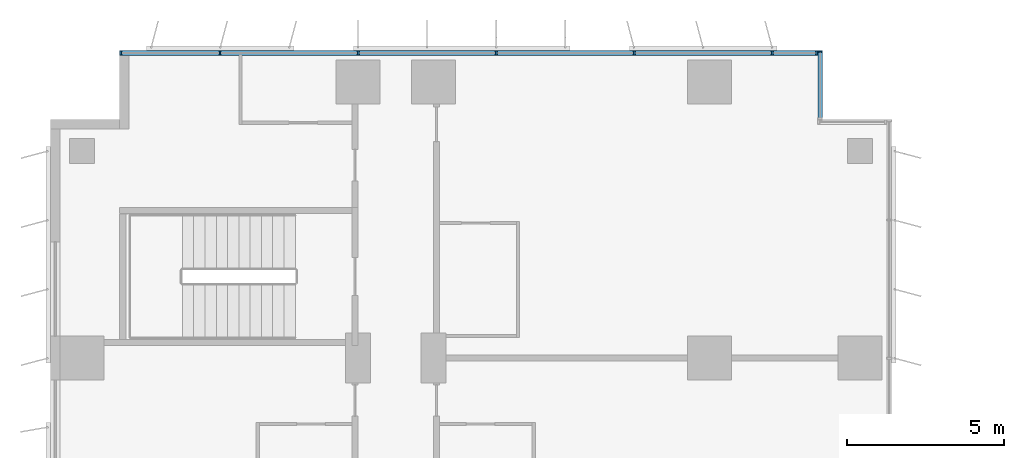
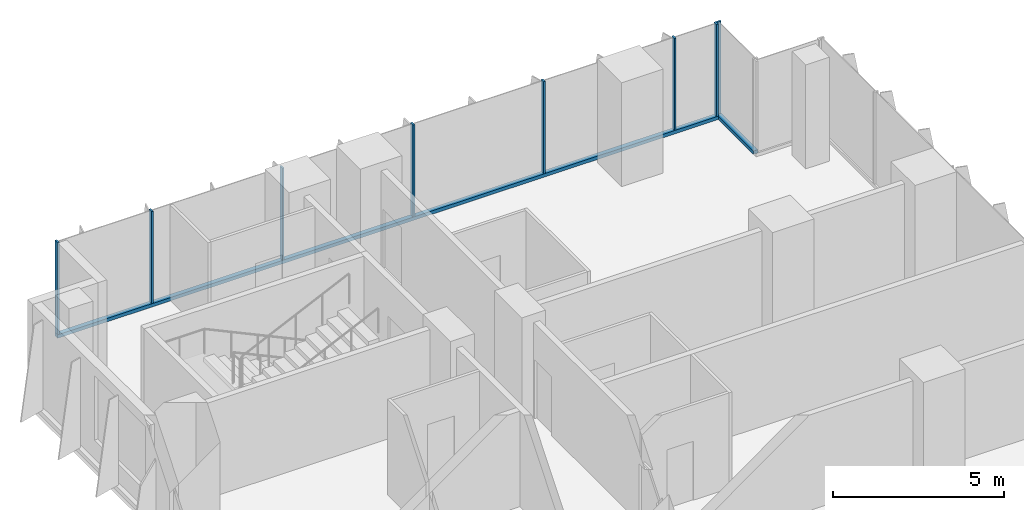
# One storey, part 7 of 23: 10 members, 2 elements without a shape of their own.
"""IFC4 building model written with IfcOpenShell, lengths in metres."""

from ifc_helpers import new_model, si_unit, direction, frame, origin, origin_2d, place, context, subcontext, project, spatial, rectangle, extrude, source, transform, mapped, material, material_profile, profile_set, type_object, element, aggregate, save


model = new_model("IFC4")

# Units and contexts
model_context = context("Model", 3, precision=1e-05, world=origin(), true_north=direction((0.0, 1.0)))
body_context = subcontext(model_context, "Body", "Model", "MODEL_VIEW")
ifc_project = project(units=[si_unit("LENGTHUNIT", "METRE"), si_unit("AREAUNIT", "SQUARE_METRE"), si_unit("VOLUMEUNIT", "CUBIC_METRE"), si_unit("PLANEANGLEUNIT", "RADIAN"), si_unit("MASSUNIT", "GRAM", prefix="KILO")], contexts=[model_context])

# Site, building, storey
site_placement = place(None, origin())
site = spatial("IfcSite", under=ifc_project, at=site_placement, CompositionType="ELEMENT")
building_placement = place(site_placement, origin())
building = spatial("IfcBuilding", under=site, at=building_placement, Name="Kemantara Hotel Tower", CompositionType="ELEMENT")
storey_placement = place(building_placement, frame((0.0, 0.0, 34.0)))
storey = spatial("IfcBuildingStorey", under=building, at=storey_placement, Name="L06", CompositionType="ELEMENT", Elevation=34.0)

# Curtain wall, member
ifc_material_1 = material(Name="Toughened tinted glass 32 mm", Category="glass")
curtain_wall_type_1 = type_object("IfcCurtainWallType", Name="TERRACE GLAZING WALL", PredefinedType="USERDEFINED", material=ifc_material_1)
curtain_wall_1_placement = place(storey_placement, origin())
curtain_wall_1 = element("IfcCurtainWall", 1, at=curtain_wall_1_placement, inside=storey, type_object=curtain_wall_type_1, Name="CW6 L06 T1-R10-1", ObjectType="TERRACE GLAZING WALL", PredefinedType="USERDEFINED")
ifc_material_2 = material(Name="Aluminium 6063-T6 bronze anodised", Category="aluminium")
ifc_material_profile_1 = material_profile(ifc_material_2, rectangle(XDim=0.14990234375, YDim=0.1201171875, at=origin_2d()), Name="TERRACE GLAZING WALL TRANSOM")
ifc_profile_set_1 = profile_set([ifc_material_profile_1], Name="Aluminium 6063-T6 bronze anodised")
member_type_1 = type_object("IfcMemberType", Name="TERRACE GLAZING WALL TRANSOM", PredefinedType="USERDEFINED", material=ifc_profile_set_1)
member_1_placement = place(storey_placement, frame((24.52490234375, 79.0, 0.06005859375), z_axis=(0.0, 1.0, 0.0), x_axis=(-1.0, 0.0, 0.0)))
member_1 = element("IfcMember", 2, at=member_1_placement, type_object=member_type_1, Name="CW6 sill transom T1-R10-1", ObjectType="TRANSOM", PredefinedType="USERDEFINED", context=body_context, shape_type="SweptSolid", body=[
    extrude(rectangle(XDim=0.14990234375, YDim=0.1201171875, at=origin_2d()), origin(), (0.0, 0.0, 1.0), 2.199951171875),
])

# Curtain wall, members
ifc_material_3 = material(Name="Low-E tinted double insulated glass 36 mm", Category="glass")
curtain_wall_type_2 = type_object("IfcCurtainWallType", Name="TOWER CURTAIN WALL, FRONT FACES", PredefinedType="USERDEFINED", material=ifc_material_3)
curtain_wall_2_placement = place(storey_placement, origin())
curtain_wall_2 = element("IfcCurtainWall", 3, at=curtain_wall_2_placement, inside=storey, type_object=curtain_wall_type_2, Name="CW4 L06 T1-R11-1", ObjectType="TOWER CURTAIN WALL, FRONT FACES", PredefinedType="USERDEFINED")
ifc_material_profile_2 = material_profile(ifc_material_2, rectangle(XDim=0.14990234375, YDim=0.1201171875, at=origin_2d()), Name="TOWER CURTAIN WALL, FRONT FACES TRANSOM")
ifc_profile_set_2 = profile_set([ifc_material_profile_2], Name="Aluminium 6063-T6 bronze anodised")
member_type_2 = type_object("IfcMemberType", Name="TOWER CURTAIN WALL, FRONT FACES TRANSOM", PredefinedType="USERDEFINED", material=ifc_profile_set_2)
member_2_placement = place(storey_placement, frame((24.449951171875, 81.125, 0.06005859375), z_axis=(-1.0, 0.0, 0.0), x_axis=(0.0, -1.0, 0.0)))
member_2 = element("IfcMember", 4, at=member_2_placement, type_object=member_type_2, Name="CW4 sill transom T1-R11-1", ObjectType="TRANSOM", PredefinedType="USERDEFINED", context=body_context, shape_type="SweptSolid", body=[
    extrude(rectangle(XDim=0.14990234375, YDim=0.1201171875, at=origin_2d()), origin(), (0.0, 0.0, 1.0), 22.25),
])
ifc_material_profile_3 = material_profile(ifc_material_2, rectangle(XDim=0.14990234375, YDim=0.06005859375, at=origin_2d()), Name="TOWER CURTAIN WALL, FRONT FACES MULLION")
ifc_profile_set_3 = profile_set([ifc_material_profile_3], Name="Aluminium 6063-T6 bronze anodised")
member_type_3 = type_object("IfcMemberType", Name="TOWER CURTAIN WALL, FRONT FACES MULLION", PredefinedType="MULLION", material=ifc_profile_set_3)
shared_shape_1 = source(origin(), body_context, "Body", "SweptSolid", [
    extrude(rectangle(XDim=0.14990234375, YDim=0.06005859375, at=origin_2d()), origin(), (0.0, 0.0, 1.0), 3.27978515625),
])
member_3_placement = place(storey_placement, frame((24.419921875, 81.125, 0.1201171875), z_axis=(0.0, 0.0, 1.0), x_axis=(0.0, -1.0, 0.0)))
member_3 = element("IfcMember", 5, at=member_3_placement, type_object=member_type_3, Name="CW4 mullion T1-R11-1.1", PredefinedType="MULLION", context=body_context, shape_type="MappedRepresentation", body=[
    mapped(shared_shape_1, transform((0.0, 0.0, 0.0))),
])
member_4_placement = place(storey_placement, frame((23.0, 81.125, 0.1201171875), z_axis=(0.0, 0.0, 1.0), x_axis=(0.0, -1.0, 0.0)))
member_4 = element("IfcMember", 6, at=member_4_placement, type_object=member_type_3, Name="CW4 mullion T1-R11-1.2", PredefinedType="MULLION", context=body_context, shape_type="MappedRepresentation", body=[
    mapped(shared_shape_1, transform((0.0, 0.0, 0.0))),
])
member_5_placement = place(storey_placement, frame((18.60009765625, 81.125, 0.1201171875), z_axis=(0.0, 0.0, 1.0), x_axis=(0.0, -1.0, 0.0)))
member_5 = element("IfcMember", 7, at=member_5_placement, type_object=member_type_3, Name="CW4 mullion T1-R11-1.3", PredefinedType="MULLION", context=body_context, shape_type="MappedRepresentation", body=[
    mapped(shared_shape_1, transform((0.0, 0.0, 0.0))),
])
member_6_placement = place(storey_placement, frame((14.199951171875, 81.125, 0.1201171875), z_axis=(0.0, 0.0, 1.0), x_axis=(0.0, -1.0, 0.0)))
member_6 = element("IfcMember", 8, at=member_6_placement, type_object=member_type_3, Name="CW4 mullion T1-R11-1.4", PredefinedType="MULLION", context=body_context, shape_type="MappedRepresentation", body=[
    mapped(shared_shape_1, transform((0.0, 0.0, 0.0))),
])
member_7_placement = place(storey_placement, frame((9.800048828125, 81.125, 0.1201171875), z_axis=(0.0, 0.0, 1.0), x_axis=(0.0, -1.0, 0.0)))
member_7 = element("IfcMember", 9, at=member_7_placement, type_object=member_type_3, Name="CW4 mullion T1-R11-1.5", PredefinedType="MULLION", context=body_context, shape_type="MappedRepresentation", body=[
    mapped(shared_shape_1, transform((0.0, 0.0, 0.0))),
])
member_8_placement = place(storey_placement, frame((5.39990234375, 81.125, 0.1201171875), z_axis=(0.0, 0.0, 1.0), x_axis=(0.0, -1.0, 0.0)))
member_8 = element("IfcMember", 10, at=member_8_placement, type_object=member_type_3, Name="CW4 mullion T1-R11-1.6", PredefinedType="MULLION", context=body_context, shape_type="MappedRepresentation", body=[
    mapped(shared_shape_1, transform((0.0, 0.0, 0.0))),
])
member_9_placement = place(storey_placement, frame((2.22998046875, 81.125, 0.1201171875), z_axis=(0.0, 0.0, 1.0), x_axis=(0.0, -1.0, 0.0)))
member_9 = element("IfcMember", 11, at=member_9_placement, type_object=member_type_3, Name="CW4 mullion T1-R11-1.7", PredefinedType="MULLION", context=body_context, shape_type="MappedRepresentation", body=[
    mapped(shared_shape_1, transform((0.0, 0.0, 0.0))),
])
aggregate(curtain_wall_2, [member_2, member_3, member_4, member_5, member_6, member_7, member_8, member_9])

# Member
ifc_material_profile_4 = material_profile(ifc_material_2, rectangle(XDim=0.14990234375, YDim=0.06005859375, at=origin_2d()), Name="TERRACE GLAZING WALL MULLION")
ifc_profile_set_4 = profile_set([ifc_material_profile_4], Name="Aluminium 6063-T6 bronze anodised")
member_type_4 = type_object("IfcMemberType", Name="TERRACE GLAZING WALL MULLION", PredefinedType="MULLION", material=ifc_profile_set_4)
shared_shape_2 = source(origin(), body_context, "Body", "SweptSolid", [
    extrude(rectangle(XDim=0.14990234375, YDim=0.06005859375, at=origin_2d()), origin(), (0.0, 0.0, 1.0), 3.27978515625),
])
member_10_placement = place(storey_placement, frame((24.52490234375, 81.169921875, 0.1201171875), z_axis=(0.0, 0.0, 1.0), x_axis=(-1.0, 0.0, 0.0)))
member_10 = element("IfcMember", 12, at=member_10_placement, type_object=member_type_4, Name="CW6 mullion T1-R10-1.2", PredefinedType="MULLION", context=body_context, shape_type="MappedRepresentation", body=[
    mapped(shared_shape_2, transform((0.0, 0.0, 0.0))),
])

aggregate(curtain_wall_1, [member_1, member_10])

save(model, "model.ifc")
